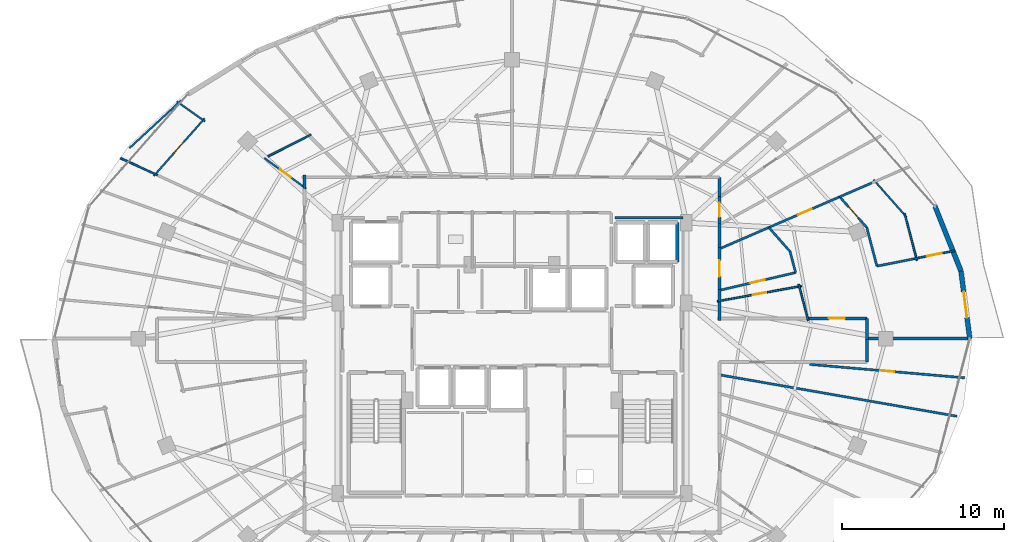
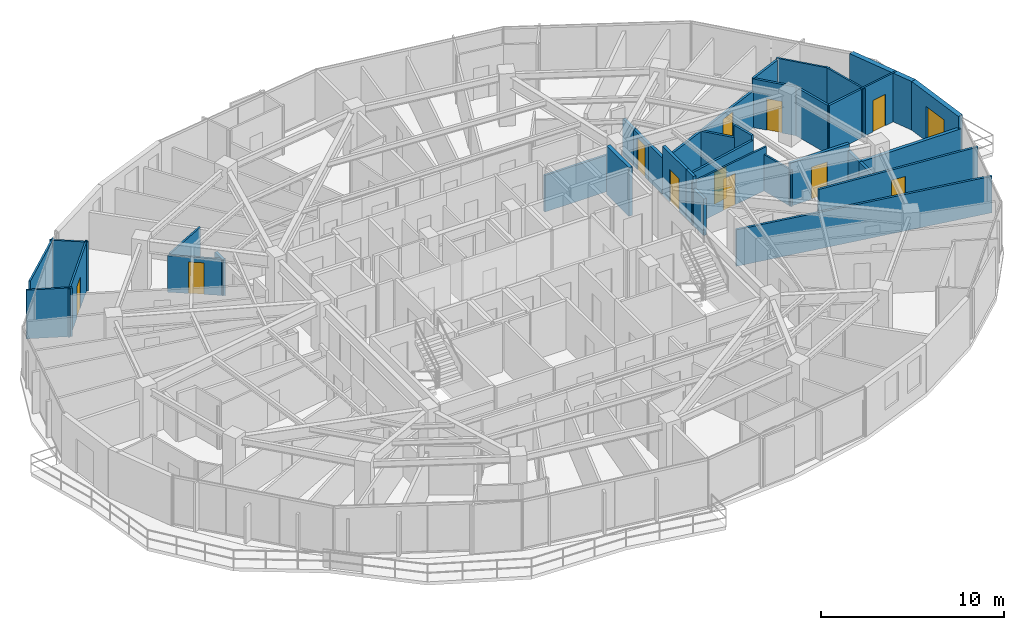
# One storey, part 29 of 34: 37 walls, 12 doors, 12 openings.
"""IFC4 building model written with IfcOpenShell, lengths in metres."""

import ifcopenshell
import ifcopenshell.guid

model = None  # the IFC model being written
_history = None  # IfcOwnerHistory: only IFC2X3 demands one
_inside = {}  # id of a spatial element -> (the spatial element, [elements in it])
_under = {}  # id of a project, library or spatial element -> (it, [spatial elements below it])
_declared = {}  # id of a project -> (the project, [libraries it declares])
_typed = {}  # id of a type object -> (the type object, [elements of that type])
_made_of = {}  # id of a material, layer set ... -> (it, [elements and type objects made of it])


def new_model(schema):
    """Start an empty IFC model of exactly this schema.

    Asked for "IFC4X3", IfcOpenShell would pick the latest addendum, in which some entities
    have other attributes; the version numbers below select the first issue.
    IFC2X3 requires an IfcOwnerHistory on every rooted entity: one is made here for all.
    """
    global model, _history
    if schema == "IFC4X3":
        model = ifcopenshell.file(schema_version=(4, 3, 0, 0))
    else:
        model = ifcopenshell.file(schema=schema)
    _inside.clear()
    _under.clear()
    _declared.clear()
    _typed.clear()
    _made_of.clear()
    _history = None
    if model.schema == "IFC2X3":
        org = make("IfcOrganization", Name="unknown")
        user = make(
            "IfcPersonAndOrganization",
            ThePerson=make("IfcPerson", FamilyName="unknown"),
            TheOrganization=org,
        )
        app = make(
            "IfcApplication",
            ApplicationDeveloper=org,
            Version="unknown",
            ApplicationFullName="unknown",
            ApplicationIdentifier="unknown",
        )
        _history = make(
            "IfcOwnerHistory",
            OwningUser=user,
            OwningApplication=app,
            ChangeAction="ADDED",
            CreationDate=0,
        )
    return model


def make(cls, **values):
    """One entity of the class cls with the attributes given. An attribute that is None is left unset."""
    return model.create_entity(
        cls, **{name: value for name, value in values.items() if value is not None}
    )


def rooted(cls, **values):
    """An entity with a GlobalId (a new one), such as an element, a storey or a relation."""
    return make(cls, GlobalId=ifcopenshell.guid.new(), OwnerHistory=_history, **values)


def si_unit(unit_type, name, prefix=None):
    """IfcSIUnit, for example si_unit("LENGTHUNIT", "METRE", prefix="MILLI")."""
    return make("IfcSIUnit", UnitType=unit_type, Prefix=prefix, Name=name)


def assignment(units):
    """IfcUnitAssignment: the units of a project."""
    return None if units is None else make("IfcUnitAssignment", Units=units)


def point(xyz):
    """IfcCartesianPoint."""
    return None if xyz is None else make("IfcCartesianPoint", Coordinates=xyz)


def direction(xyz):
    """IfcDirection."""
    return None if xyz is None else make("IfcDirection", DirectionRatios=xyz)


def frame(location, z_axis=None, x_axis=None):
    """IfcAxis2Placement3D, a coordinate frame: its origin and axes. An axis left out is left unset."""
    return make(
        "IfcAxis2Placement3D",
        Location=point(location),
        Axis=direction(z_axis),
        RefDirection=direction(x_axis),
    )


def frame_2d(location, x_axis=None):
    """IfcAxis2Placement2D, a coordinate frame in the plane: its origin and x axis."""
    return make(
        "IfcAxis2Placement2D", Location=point(location), RefDirection=direction(x_axis)
    )


def origin():
    """The frame at (0, 0, 0) with its axes left unset."""
    return frame((0.0, 0.0, 0.0))


def place(relative_to, where):
    """IfcLocalPlacement: puts the frame where relative to a parent placement (None: the world)."""
    return make(
        "IfcLocalPlacement", PlacementRelTo=relative_to, RelativePlacement=where
    )


def context(
    kind, dimensions, precision=None, world=None, true_north=None, identifier=None
):
    """IfcGeometricRepresentationContext, for example the 3D "Model" context."""
    return make(
        "IfcGeometricRepresentationContext",
        ContextIdentifier=identifier,
        ContextType=kind,
        CoordinateSpaceDimension=dimensions,
        Precision=precision,
        WorldCoordinateSystem=world,
        TrueNorth=true_north,
    )


def subcontext(parent, identifier, kind, view, scale=None):
    """IfcGeometricRepresentationSubContext, for example "Body" below "Model"."""
    return make(
        "IfcGeometricRepresentationSubContext",
        ContextIdentifier=identifier,
        ContextType=kind,
        ParentContext=parent,
        TargetScale=scale,
        TargetView=view,
    )


def project(units=None, contexts=None):
    """IfcProject with its units and contexts."""
    return rooted(
        "IfcProject",
        Name="project",
        RepresentationContexts=contexts,
        UnitsInContext=assignment(units),
    )


def spatial(cls, under=None, at=None, **own):
    """A site, building, storey or space (cls), placed at a placement, below another one or the project."""
    s = rooted(cls, ObjectPlacement=at, **own)
    if under is not None:
        _under.setdefault(under.id(), (under, []))[1].append(s)
    return s


def profile(cls, at=None, kind="AREA", **sizes):
    """A parametric profile (cls). Its sizes go by their IFC names, for example OverallWidth=200.0."""
    return make(cls, ProfileType=kind, Position=at, **sizes)


def rectangle(**sizes):
    """IfcRectangleProfileDef."""
    return profile("IfcRectangleProfileDef", **sizes)


def extrude(swept, where, along, depth):
    """IfcExtrudedAreaSolid: the profile swept, set in the frame where, extruded along a direction by depth."""
    return make(
        "IfcExtrudedAreaSolid",
        SweptArea=swept,
        Position=where,
        ExtrudedDirection=direction(along),
        Depth=depth,
    )


def shape(context_of_items, identifier, shape_type, items):
    """IfcShapeRepresentation: the items that make up one representation, for example the "Body"."""
    return make(
        "IfcShapeRepresentation",
        ContextOfItems=context_of_items,
        RepresentationIdentifier=identifier,
        RepresentationType=shape_type,
        Items=items,
    )


def material(Name=None, Category=None):
    """IfcMaterial."""
    return make("IfcMaterial", Name=Name, Category=Category)


def layer(
    of_material, thickness, ventilated=None, Name=None, Category=None, Priority=None
):
    """IfcMaterialLayer: one layer of a wall or slab, of a material (None: an air gap)."""
    return make(
        "IfcMaterialLayer",
        Material=of_material,
        LayerThickness=thickness,
        IsVentilated=ventilated,
        Name=Name,
        Category=Category,
        Priority=Priority,
    )


def layer_set(layers, Name=None):
    """IfcMaterialLayerSet."""
    return make("IfcMaterialLayerSet", MaterialLayers=layers, LayerSetName=Name)


def made_of(thing, what):
    """Note that an element or type object is made of a material, layer set ...; save() writes the relation."""
    if what is not None:
        _made_of.setdefault(what.id(), (what, []))[1].append(thing)
    return thing


def type_object(cls, material=None, **own):
    """A type object (cls), such as IfcWallType, which elements share."""
    return made_of(rooted(cls, **own), material)


def element(
    cls,
    number,
    at=None,
    inside=None,
    cuts=None,
    type_object=None,
    material=None,
    context=None,
    identifier="Body",
    shape_type=None,
    held_by="IfcProductDefinitionShape",
    body=None,
    shapes=None,
    **own,
):
    """One element of the class cls, such as IfcWall. Its Tag is "e" and its number.

    at: its placement. inside: the storey or other place that contains it. cuts: it is an
    opening in that element (IfcRelVoidsElement). A single representation is given by context,
    identifier, shape_type and body (its items); several are given by shapes. held_by: the class
    of the entity that holds the representations. save() writes the other relations.
    """
    e = rooted(cls, Tag="e%d" % number, ObjectPlacement=at, **own)
    if body is not None:
        shapes = [shape(context, identifier, shape_type, body)]
    if shapes is not None:
        e.Representation = make(held_by, Representations=shapes)
    if inside is not None:
        _inside.setdefault(inside.id(), (inside, []))[1].append(e)
    if cuts is not None:
        rooted(
            "IfcRelVoidsElement", RelatingBuildingElement=cuts, RelatedOpeningElement=e
        )
    if type_object is not None:
        _typed.setdefault(type_object.id(), (type_object, []))[1].append(e)
    return made_of(e, material)


def fill(opening, filler):
    """IfcRelFillsElement: the door or window that sits in an opening."""
    return rooted(
        "IfcRelFillsElement",
        RelatingOpeningElement=opening,
        RelatedBuildingElement=filler,
    )


def aggregate(whole, parts):
    """IfcRelAggregates: a whole, such as a stair, and the parts it consists of."""
    return rooted("IfcRelAggregates", RelatingObject=whole, RelatedObjects=parts)


def save(model, path):
    """Write the relations noted so far, then the file.

    IfcRelAggregates (storeys below a building ...), IfcRelContainedInSpatialStructure (elements
    in a storey), IfcRelDefinesByType, IfcRelAssociatesMaterial and IfcRelDeclares: one each for
    every whole, place, type object, material and project.
    """
    for whole, parts in _under.values():
        aggregate(whole, parts)
    for where, things in _inside.values():
        rooted(
            "IfcRelContainedInSpatialStructure",
            RelatedElements=things,
            RelatingStructure=where,
        )
    for kind, things in _typed.values():
        rooted("IfcRelDefinesByType", RelatedObjects=things, RelatingType=kind)
    for what, things in _made_of.values():
        rooted("IfcRelAssociatesMaterial", RelatedObjects=things, RelatingMaterial=what)
    for by, libraries in _declared.values():
        rooted("IfcRelDeclares", RelatingContext=by, RelatedDefinitions=libraries)
    model.write(path)


model = new_model("IFC4")

# Units and contexts
model_context = context("Model", 3, precision=1e-05, world=origin(), true_north=direction((0.0, 1.0)))
body_context = subcontext(model_context, "Body", "Model", "MODEL_VIEW")
ifc_project = project(units=[si_unit("LENGTHUNIT", "METRE"), si_unit("AREAUNIT", "SQUARE_METRE"), si_unit("VOLUMEUNIT", "CUBIC_METRE"), si_unit("PLANEANGLEUNIT", "RADIAN"), si_unit("MASSUNIT", "GRAM", prefix="KILO")], contexts=[model_context])

# Site, building, storey
site_placement = place(None, origin())
site = spatial("IfcSite", under=ifc_project, at=site_placement, CompositionType="ELEMENT")
building_placement = place(site_placement, origin())
building = spatial("IfcBuilding", under=site, at=building_placement, Name="Vorneva Point Tower", CompositionType="ELEMENT")
storey_placement = place(building_placement, frame((0.0, 0.0, 186.10009765625)))
storey = spatial("IfcBuildingStorey", under=building, at=storey_placement, Name="L50", CompositionType="ELEMENT", Elevation=186.10009765625)

# Wall, opening, door
ifc_material_1 = material(Name="Precast concrete B50 (C40/50)", Category="concrete")
ifc_layer_1 = layer(ifc_material_1, 0.300048828125)
ifc_layer_set_1 = layer_set([ifc_layer_1], Name="Precast concrete B50 (C40/50)")
wall_type_1 = type_object("IfcWallType", Name="WL-EXT-300", PredefinedType="STANDARD", material=ifc_layer_set_1)
wall_1_placement = place(storey_placement, frame((66.22998046875, 26.0, 0.0), z_axis=(0.0, 0.0, 1.0), x_axis=(-0.129147853268, 0.991625348605, 0.0)))
wall_1 = element("IfcWall", 1, at=wall_1_placement, inside=storey, type_object=wall_type_1, Name="L50 Pale-Metal Facade Spandrel Wall 01.1", PredefinedType="STANDARD", context=body_context, shape_type="SweptSolid", body=[
    extrude(rectangle(XDim=4.200439453125, YDim=0.300048828125, at=frame_2d((2.10009765625, 0.0))), origin(), (0.0, 0.0, 1.0), 3.239990234375),
])
opening_1_placement = place(wall_1_placement, frame((1.30029296875, 0.0, 0.0)))
opening_1 = element("IfcOpeningElement", 2, at=opening_1_placement, cuts=wall_1, Name="Opening BD-01", PredefinedType="OPENING", context=body_context, shape_type="SweptSolid", body=[
    extrude(rectangle(XDim=1.60009765625, YDim=2.300048828125, at=frame_2d((0.800048828125, 1.14990234375))), frame((0.0, 0.1650390625, 0.0), z_axis=(0.0, -1.0, 0.0), x_axis=(1.0, 0.0, 0.0)), (0.0, 0.0, 1.0), 0.329833984375),
])
ifc_material_2 = material(Name="Pale anodised aluminium", Category="aluminium")
door_type_1 = type_object("IfcDoorType", Name="DR-BAL-1600", OperationType="SLIDING_TO_LEFT", PredefinedType="DOOR", material=ifc_material_2)
door_1_placement = place(opening_1_placement, origin())
door_1 = element("IfcDoor", 3, at=door_1_placement, inside=storey, type_object=door_type_1, Name="L50 Balcony Terrace Access Door 01", OperationType="SLIDING_TO_LEFT", OverallHeight=2.300048828125, OverallWidth=1.60009765625, PredefinedType="DOOR", context=body_context, shape_type="SweptSolid", body=[
    extrude(rectangle(XDim=1.60009765625, YDim=2.300048828125, at=frame_2d((0.800048828125, 1.14990234375))), frame((0.0, 0.02490234375, 0.0), z_axis=(0.0, -1.0, 0.0), x_axis=(1.0, 0.0, 0.0)), (0.0, 0.0, 1.0), 0.050048828125),
])
fill(opening_1, door_1)

# Wall
wall_2_placement = place(storey_placement, frame((65.6875, 30.165283203125, 0.0), z_axis=(0.0, 0.0, 1.0), x_axis=(-0.372268409848, 0.928125116043, 0.0)))
element("IfcWall", 4, at=wall_2_placement, inside=storey, type_object=wall_type_1, Name="L50 Pale-Metal Facade Spandrel Wall 01.2", PredefinedType="STANDARD", context=body_context, shape_type="SweptSolid", body=[
    extrude(rectangle(XDim=4.315185546875, YDim=0.300048828125, at=frame_2d((2.15771484375, 0.0))), origin(), (0.0, 0.0, 1.0), 3.239990234375),
])

# Wall, opening, door
ifc_material_3 = material(Name="Fire-rated acoustic gypsum stud partition", Category="gypsum")
ifc_layer_2 = layer(ifc_material_3, 0.110107421875)
ifc_layer_set_2 = layer_set([ifc_layer_2], Name="Fire-rated acoustic gypsum stud partition")
wall_type_2 = type_object("IfcWallType", Name="WL-PART-110", PredefinedType="PARTITIONING", material=ifc_layer_set_2)
wall_3_placement = place(storey_placement, frame((50.662353515625, 28.300048828125, 0.0), z_axis=(0.0, 0.0, 1.0), x_axis=(0.983892120625, 0.178763237197, 0.0)))
wall_3 = element("IfcWall", 5, at=wall_3_placement, inside=storey, type_object=wall_type_2, Name="L50 Interior Partition 100", PredefinedType="PARTITIONING", context=body_context, shape_type="SweptSolid", body=[
    extrude(rectangle(XDim=5.2744140625, YDim=0.110107421875, at=frame_2d((2.63720703125, 0.0))), origin(), (0.0, 0.0, 1.0), 2.8740234375),
])
opening_2_placement = place(wall_3_placement, frame((2.212158203125, 0.0, 0.0)))
opening_2 = element("IfcOpeningElement", 6, at=opening_2_placement, cuts=wall_3, Name="Opening ID-02", PredefinedType="OPENING", context=body_context, shape_type="SweptSolid", body=[
    extrude(rectangle(XDim=0.85009765625, YDim=2.10009765625, at=frame_2d((0.425048828125, 1.050048828125))), frame((0.0, 0.06982421875, 0.0), z_axis=(0.0, -1.0, 0.0), x_axis=(1.0, 0.0, 0.0)), (0.0, 0.0, 1.0), 0.139892578125),
])
ifc_material_4 = material(Name="Engineered oak fire-rated door leaf", Category="wood")
door_type_2 = type_object("IfcDoorType", Name="DR-BATH-850", OperationType="NOTDEFINED", PredefinedType="DOOR", material=ifc_material_4)
door_2_placement = place(opening_2_placement, origin())
door_2 = element("IfcDoor", 7, at=door_2_placement, inside=storey, type_object=door_type_2, Name="L50 Door Living and Dining Room L50-01 / Bathroom L50-01", OperationType="SINGLE_SWING_LEFT", OverallHeight=2.10009765625, OverallWidth=0.85009765625, PredefinedType="DOOR", context=body_context, shape_type="SweptSolid", body=[
    extrude(rectangle(XDim=0.85009765625, YDim=2.10009765625, at=frame_2d((0.425048828125, 1.050048828125))), frame((0.0, 0.02490234375, 0.0), z_axis=(0.0, -1.0, 0.0), x_axis=(1.0, 0.0, 0.0)), (0.0, 0.0, 1.0), 0.050048828125),
])
fill(opening_2, door_2)

# Wall
wall_4_placement = place(storey_placement, frame((55.678466796875, 29.353515625, 0.0), z_axis=(0.0, 0.0, 1.0), x_axis=(0.254057219361, -0.96718919002, 0.0)))
element("IfcWall", 8, at=wall_4_placement, inside=storey, type_object=wall_type_2, Name="L50 Interior Partition 101", PredefinedType="PARTITIONING", context=body_context, shape_type="SweptSolid", body=[
    extrude(rectangle(XDim=2.31494140625, YDim=0.110107421875, at=frame_2d((1.157470703125, 0.0))), origin(), (0.0, 0.0, 1.0), 2.431884765625),
])

# Wall, opening, door
wall_5_placement = place(storey_placement, frame((65.327392578125, 31.42724609375, 0.0), z_axis=(0.0, 0.0, 1.0), x_axis=(-0.980809558385, -0.194968228644, 0.0)))
wall_5 = element("IfcWall", 9, at=wall_5_placement, inside=storey, type_object=wall_type_2, Name="L50 Interior Partition 102", PredefinedType="PARTITIONING", context=body_context, shape_type="SweptSolid", body=[
    extrude(rectangle(XDim=2.5771484375, YDim=0.110107421875, at=frame_2d((1.28857421875, 0.0))), origin(), (0.0, 0.0, 1.0), 3.239990234375),
])
opening_3_placement = place(wall_5_placement, frame((0.83837890625, 0.0, 0.0)))
opening_3 = element("IfcOpeningElement", 10, at=opening_3_placement, cuts=wall_5, Name="Opening ID-01", PredefinedType="OPENING", context=body_context, shape_type="SweptSolid", body=[
    extrude(rectangle(XDim=0.89990234375, YDim=2.10009765625, at=frame_2d((0.449951171875, 1.050048828125))), frame((0.0, 0.06982421875, 0.0), z_axis=(0.0, -1.0, 0.0), x_axis=(1.0, 0.0, 0.0)), (0.0, 0.0, 1.0), 0.139892578125),
])
door_type_3 = type_object("IfcDoorType", Name="DR-ROOM-900", OperationType="NOTDEFINED", PredefinedType="DOOR", material=ifc_material_4)
door_3_placement = place(opening_3_placement, origin())
door_3 = element("IfcDoor", 11, at=door_3_placement, inside=storey, type_object=door_type_3, Name="L50 Door Living and Dining Room L50-01 / Kitchen L50-01", OperationType="SINGLE_SWING_RIGHT", OverallHeight=2.10009765625, OverallWidth=0.89990234375, PredefinedType="DOOR", context=body_context, shape_type="SweptSolid", body=[
    extrude(rectangle(XDim=0.89990234375, YDim=2.10009765625, at=frame_2d((0.449951171875, 1.050048828125))), frame((0.0, 0.02490234375, 0.0), z_axis=(0.0, -1.0, 0.0), x_axis=(1.0, 0.0, 0.0)), (0.0, 0.0, 1.0), 0.050048828125),
])
fill(opening_3, door_3)

# Walls
wall_6_placement = place(storey_placement, frame((60.29833984375, 35.7939453125, 0.0), z_axis=(0.0, 0.0, 1.0), x_axis=(0.662277588726, -0.74925856383, 0.0)))
element("IfcWall", 12, at=wall_6_placement, inside=storey, type_object=wall_type_2, Name="L50 Interior Partition 110", PredefinedType="PARTITIONING", context=body_context, shape_type="SweptSolid", body=[
    extrude(rectangle(XDim=3.076171875, YDim=0.110107421875, at=frame_2d((1.5380859375, 0.0))), origin(), (0.0, 0.0, 1.0), 3.239990234375),
])
wall_7_placement = place(storey_placement, frame((62.20751953125, 33.7294921875, 0.0), z_axis=(0.0, 0.0, 1.0), x_axis=(0.254058335644, -0.967188896798, 0.0)))
element("IfcWall", 13, at=wall_7_placement, inside=storey, type_object=wall_type_2, Name="L50 Interior Partition 111", PredefinedType="PARTITIONING", context=body_context, shape_type="SweptSolid", body=[
    extrude(rectangle(XDim=3.01171875, YDim=0.110107421875, at=frame_2d((1.505859375, 0.0))), origin(), (0.0, 0.0, 1.0), 3.239990234375),
])

# Wall, opening, door
wall_8_placement = place(storey_placement, frame((25.31298828125, 35.24755859375, 0.0), z_axis=(0.0, 0.0, 1.0), x_axis=(-0.807968083988, 0.58922625133, 0.0)))
wall_8 = element("IfcWall", 14, at=wall_8_placement, inside=storey, type_object=wall_type_2, Name="L50 Interior Partition 139", PredefinedType="PARTITIONING", context=body_context, shape_type="SweptSolid", body=[
    extrude(rectangle(XDim=3.192138671875, YDim=0.110107421875, at=frame_2d((1.59619140625, 0.0))), origin(), (0.0, 0.0, 1.0), 2.431884765625),
])
opening_4_placement = place(wall_8_placement, frame((1.171142578125, 0.0, 0.0)))
opening_4 = element("IfcOpeningElement", 15, at=opening_4_placement, cuts=wall_8, Name="Opening ID-02", PredefinedType="OPENING", context=body_context, shape_type="SweptSolid", body=[
    extrude(rectangle(XDim=0.85009765625, YDim=2.10009765625, at=frame_2d((0.425048828125, 1.050048828125))), frame((0.0, 0.06982421875, 0.0), z_axis=(0.0, -1.0, 0.0), x_axis=(1.0, 0.0, 0.0)), (0.0, 0.0, 1.0), 0.139892578125),
])
door_4_placement = place(opening_4_placement, origin())
door_4 = element("IfcDoor", 16, at=door_4_placement, inside=storey, type_object=door_type_2, Name="L50 Door Living and Dining Room L50-04 / Bathroom L50-04", OperationType="SINGLE_SWING_LEFT", OverallHeight=2.10009765625, OverallWidth=0.85009765625, PredefinedType="DOOR", context=body_context, shape_type="SweptSolid", body=[
    extrude(rectangle(XDim=0.85009765625, YDim=2.10009765625, at=frame_2d((0.425048828125, 1.050048828125))), frame((0.0, 0.02490234375, 0.0), z_axis=(0.0, -1.0, 0.0), x_axis=(1.0, 0.0, 0.0)), (0.0, 0.0, 1.0), 0.050048828125),
])
fill(opening_4, door_4)

# Walls
wall_9_placement = place(storey_placement, frame((22.941162109375, 37.23095703125, 0.0), z_axis=(0.0, 0.0, 1.0), x_axis=(0.892507731149, 0.451032094024, 0.0)))
element("IfcWall", 17, at=wall_9_placement, inside=storey, type_object=wall_type_2, Name="L50 Interior Partition 140", PredefinedType="PARTITIONING", context=body_context, shape_type="SweptSolid", body=[
    extrude(rectangle(XDim=2.989013671875, YDim=0.110107421875, at=frame_2d((1.49462890625, 0.0))), origin(), (0.0, 0.0, 1.0), 2.431884765625),
])
wall_10_placement = place(storey_placement, frame((17.32763671875, 40.6259765625, 0.0), z_axis=(0.0, 0.0, 1.0), x_axis=(0.816262906602, -0.577680592807, 0.0)))
element("IfcWall", 18, at=wall_10_placement, inside=storey, type_object=wall_type_2, Name="L50 Interior Partition 141", PredefinedType="PARTITIONING", context=body_context, shape_type="SweptSolid", body=[
    extrude(rectangle(XDim=2.132568359375, YDim=0.110107421875, at=frame_2d((1.06640625, 0.0))), origin(), (0.0, 0.0, 1.0), 3.239990234375),
])

# Wall, opening, door
wall_11_placement = place(storey_placement, frame((19.046630859375, 39.579833984375, 0.0), z_axis=(0.0, 0.0, 1.0), x_axis=(-0.662189711464, -0.749336230294, 0.0)))
wall_11 = element("IfcWall", 19, at=wall_11_placement, inside=storey, type_object=wall_type_2, Name="L50 Interior Partition 142", PredefinedType="PARTITIONING", context=body_context, shape_type="SweptSolid", body=[
    extrude(rectangle(XDim=4.731689453125, YDim=0.110107421875, at=frame_2d((2.36572265625, 0.0))), origin(), (0.0, 0.0, 1.0), 3.239990234375),
])
opening_5_placement = place(wall_11_placement, frame((1.916015625, 0.0, 0.0)))
opening_5 = element("IfcOpeningElement", 20, at=opening_5_placement, cuts=wall_11, Name="Opening ID-01", PredefinedType="OPENING", context=body_context, shape_type="SweptSolid", body=[
    extrude(rectangle(XDim=0.89990234375, YDim=2.10009765625, at=frame_2d((0.449951171875, 1.050048828125))), frame((0.0, 0.06982421875, 0.0), z_axis=(0.0, -1.0, 0.0), x_axis=(1.0, 0.0, 0.0)), (0.0, 0.0, 1.0), 0.139892578125),
])
door_5_placement = place(opening_5_placement, origin())
door_5 = element("IfcDoor", 21, at=door_5_placement, inside=storey, type_object=door_type_3, Name="L50 Door Living and Dining Room L50-04 / Kitchen L50-04", OperationType="SINGLE_SWING_RIGHT", OverallHeight=2.10009765625, OverallWidth=0.89990234375, PredefinedType="DOOR", context=body_context, shape_type="SweptSolid", body=[
    extrude(rectangle(XDim=0.89990234375, YDim=2.10009765625, at=frame_2d((0.449951171875, 1.050048828125))), frame((0.0, 0.02490234375, 0.0), z_axis=(0.0, -1.0, 0.0), x_axis=(1.0, 0.0, 0.0)), (0.0, 0.0, 1.0), 0.050048828125),
])
fill(opening_5, door_5)

# Walls
wall_12_placement = place(storey_placement, frame((17.58984375, 40.681884765625, 0.0), z_axis=(0.0, 0.0, 1.0), x_axis=(-0.734861902375, -0.678216768031, 0.0)))
element("IfcWall", 22, at=wall_12_placement, inside=storey, type_object=wall_type_2, Name="L50 Interior Partition 143", PredefinedType="PARTITIONING", context=body_context, shape_type="SweptSolid", body=[
    extrude(rectangle(XDim=4.322998046875, YDim=0.110107421875, at=frame_2d((2.16162109375, 0.0))), origin(), (0.0, 0.0, 1.0), 3.239990234375),
])
wall_13_placement = place(storey_placement, frame((13.846923828125, 37.134521484375, 0.0), z_axis=(0.0, 0.0, 1.0), x_axis=(0.908101251341, -0.418750662462, 0.0)))
element("IfcWall", 23, at=wall_13_placement, inside=storey, type_object=wall_type_2, Name="L50 Interior Partition 145", PredefinedType="PARTITIONING", context=body_context, shape_type="SweptSolid", body=[
    extrude(rectangle(XDim=2.517578125, YDim=0.110107421875, at=frame_2d((1.2587890625, 0.0))), origin(), (0.0, 0.0, 1.0), 3.239990234375),
])
ifc_layer_3 = layer(ifc_material_3, 0.139892578125)
ifc_layer_set_3 = layer_set([ifc_layer_3], Name="Fire-rated acoustic gypsum stud partition")
wall_type_3 = type_object("IfcWallType", Name="WL-PART-140", PredefinedType="PARTITIONING", material=ifc_layer_set_3)
wall_14_placement = place(storey_placement, frame((53.837890625, 32.85302734375, 0.0), z_axis=(0.0, 0.0, 1.0), x_axis=(0.662046229388, -0.749463001191, 0.0)))
element("IfcWall", 24, at=wall_14_placement, inside=storey, type_object=wall_type_3, Name="L50 Interior Partition 096", PredefinedType="PARTITIONING", context=body_context, shape_type="SweptSolid", body=[
    extrude(rectangle(XDim=1.977294921875, YDim=0.139892578125, at=frame_2d((0.98876953125, 0.0))), origin(), (0.0, 0.0, 1.0), 2.431884765625),
])
wall_15_placement = place(storey_placement, frame((55.14697265625, 31.37109375, 0.0), z_axis=(0.0, 0.0, 1.0), x_axis=(0.25443966192, -0.967088650767, 0.0)))
element("IfcWall", 25, at=wall_15_placement, inside=storey, type_object=wall_type_3, Name="L50 Interior Partition 097", PredefinedType="PARTITIONING", context=body_context, shape_type="SweptSolid", body=[
    extrude(rectangle(XDim=1.34423828125, YDim=0.139892578125, at=frame_2d((0.672119140625, 0.0))), origin(), (0.0, 0.0, 1.0), 3.239990234375),
])

# Wall, opening, door
wall_16_placement = place(storey_placement, frame((55.489013671875, 30.071044921875, 0.0), z_axis=(0.0, 0.0, 1.0), x_axis=(-0.973980178663, -0.226633209333, 0.0)))
wall_16 = element("IfcWall", 26, at=wall_16_placement, inside=storey, type_object=wall_type_3, Name="L50 Interior Partition 098", PredefinedType="PARTITIONING", context=body_context, shape_type="SweptSolid", body=[
    extrude(rectangle(XDim=4.814208984375, YDim=0.139892578125, at=frame_2d((2.4072265625, 0.0))), origin(), (0.0, 0.0, 1.0), 2.921875),
])
opening_6_placement = place(wall_16_placement, frame((1.95703125, 0.0, 0.0)))
opening_6 = element("IfcOpeningElement", 27, at=opening_6_placement, cuts=wall_16, Name="Opening ID-01", PredefinedType="OPENING", context=body_context, shape_type="SweptSolid", body=[
    extrude(rectangle(XDim=0.89990234375, YDim=2.10009765625, at=frame_2d((0.449951171875, 1.050048828125))), frame((0.0, 0.0849609375, 0.0), z_axis=(0.0, -1.0, 0.0), x_axis=(1.0, 0.0, 0.0)), (0.0, 0.0, 1.0), 0.169677734375),
])
door_6_placement = place(opening_6_placement, origin())
door_6 = element("IfcDoor", 28, at=door_6_placement, inside=storey, type_object=door_type_3, Name="L50 Door Living and Dining Room L50-01 / Family Dining Room L50-01", OperationType="SINGLE_SWING_RIGHT", OverallHeight=2.10009765625, OverallWidth=0.89990234375, PredefinedType="DOOR", context=body_context, shape_type="SweptSolid", body=[
    extrude(rectangle(XDim=0.89990234375, YDim=2.10009765625, at=frame_2d((0.449951171875, 1.050048828125))), frame((0.0, 0.02490234375, 0.0), z_axis=(0.0, -1.0, 0.0), x_axis=(1.0, 0.0, 0.0)), (0.0, 0.0, 1.0), 0.050048828125),
])
fill(opening_6, door_6)

# Walls
wall_17_placement = place(storey_placement, frame((53.89599609375, 32.87890625, 0.0), z_axis=(0.0, 0.0, 1.0), x_axis=(-0.917742985146, -0.39717478925, 0.0)))
element("IfcWall", 29, at=wall_17_placement, inside=storey, type_object=wall_type_3, Name="L50 Interior Partition 099", PredefinedType="PARTITIONING", context=body_context, shape_type="SweptSolid", body=[
    extrude(rectangle(XDim=3.37353515625, YDim=0.139892578125, at=frame_2d((1.686767578125, 0.0))), origin(), (0.0, 0.0, 1.0), 2.431884765625),
])
wall_18_placement = place(storey_placement, frame((62.7998046875, 30.9248046875, 0.0), z_axis=(0.0, 0.0, 1.0), x_axis=(-0.980840670114, -0.194811652245, 0.0)))
element("IfcWall", 30, at=wall_18_placement, inside=storey, type_object=wall_type_3, Name="L50 Interior Partition 104", PredefinedType="PARTITIONING", context=body_context, shape_type="SweptSolid", body=[
    extrude(rectangle(XDim=2.33984375, YDim=0.139892578125, at=frame_2d((1.169921875, 0.0))), origin(), (0.0, 0.0, 1.0), 3.239990234375),
])
wall_19_placement = place(storey_placement, frame((60.5048828125, 30.468994140625, 0.0), z_axis=(0.0, 0.0, 1.0), x_axis=(-0.254702896388, 0.967019355841, 0.0)))
element("IfcWall", 31, at=wall_19_placement, inside=storey, type_object=wall_type_3, Name="L50 Interior Partition 105", PredefinedType="PARTITIONING", context=body_context, shape_type="SweptSolid", body=[
    extrude(rectangle(XDim=2.46533203125, YDim=0.139892578125, at=frame_2d((1.232666015625, 0.0))), origin(), (0.0, 0.0, 1.0), 3.239990234375),
])

# Wall, opening, door
wall_20_placement = place(storey_placement, frame((59.876953125, 32.85302734375, 0.0), z_axis=(0.0, 0.0, 1.0), x_axis=(-0.661957655691, 0.749541234404, 0.0)))
wall_20 = element("IfcWall", 32, at=wall_20_placement, inside=storey, type_object=wall_type_3, Name="L50 Interior Partition 106", PredefinedType="PARTITIONING", context=body_context, shape_type="SweptSolid", body=[
    extrude(rectangle(XDim=2.522705078125, YDim=0.139892578125, at=frame_2d((1.26123046875, 0.0))), origin(), (0.0, 0.0, 1.0), 3.239990234375),
])
opening_7_placement = place(wall_20_placement, frame((0.811279296875, 0.0, 0.0)))
opening_7 = element("IfcOpeningElement", 33, at=opening_7_placement, cuts=wall_20, Name="Opening ID-01", PredefinedType="OPENING", context=body_context, shape_type="SweptSolid", body=[
    extrude(rectangle(XDim=0.89990234375, YDim=2.10009765625, at=frame_2d((0.449951171875, 1.050048828125))), frame((0.0, 0.0849609375, 0.0), z_axis=(0.0, -1.0, 0.0), x_axis=(1.0, 0.0, 0.0)), (0.0, 0.0, 1.0), 0.169677734375),
])
door_7_placement = place(opening_7_placement, origin())
door_7 = element("IfcDoor", 34, at=door_7_placement, inside=storey, type_object=door_type_3, Name="L50 Door Living and Dining Room L50-01 / Study Room L50-01", OperationType="SINGLE_SWING_RIGHT", OverallHeight=2.10009765625, OverallWidth=0.89990234375, PredefinedType="DOOR", context=body_context, shape_type="SweptSolid", body=[
    extrude(rectangle(XDim=0.89990234375, YDim=2.10009765625, at=frame_2d((0.449951171875, 1.050048828125))), frame((0.0, 0.02490234375, 0.0), z_axis=(0.0, -1.0, 0.0), x_axis=(1.0, 0.0, 0.0)), (0.0, 0.0, 1.0), 0.050048828125),
])
fill(opening_7, door_7)

# Wall
wall_21_placement = place(storey_placement, frame((58.20703125, 34.743896484375, 0.0), z_axis=(0.0, 0.0, 1.0), x_axis=(0.917748928086, 0.397161056748, 0.0)))
element("IfcWall", 35, at=wall_21_placement, inside=storey, type_object=wall_type_3, Name="L50 Interior Partition 107", PredefinedType="PARTITIONING", context=body_context, shape_type="SweptSolid", body=[
    extrude(rectangle(XDim=2.1796875, YDim=0.139892578125, at=frame_2d((1.08984375, 0.0))), origin(), (0.0, 0.0, 1.0), 3.239990234375),
])

# Wall, opening, door
wall_22_placement = place(storey_placement, frame((58.206787109375, 34.744140625, 0.0), z_axis=(0.0, 0.0, 1.0), x_axis=(-0.917771035239, -0.397109968241, 0.0)))
wall_22 = element("IfcWall", 36, at=wall_22_placement, inside=storey, type_object=wall_type_3, Name="L50 Interior Partition 108", PredefinedType="PARTITIONING", context=body_context, shape_type="SweptSolid", body=[
    extrude(rectangle(XDim=4.697021484375, YDim=0.139892578125, at=frame_2d((2.3486328125, 0.0))), origin(), (0.0, 0.0, 1.0), 2.431884765625),
])
opening_8_placement = place(wall_22_placement, frame((1.8984375, 0.0, 0.0)))
opening_8 = element("IfcOpeningElement", 37, at=opening_8_placement, cuts=wall_22, Name="Opening ID-01", PredefinedType="OPENING", context=body_context, shape_type="SweptSolid", body=[
    extrude(rectangle(XDim=0.89990234375, YDim=2.10009765625, at=frame_2d((0.449951171875, 1.050048828125))), frame((0.0, 0.0849609375, 0.0), z_axis=(0.0, -1.0, 0.0), x_axis=(1.0, 0.0, 0.0)), (0.0, 0.0, 1.0), 0.169677734375),
])
door_8_placement = place(opening_8_placement, origin())
door_8 = element("IfcDoor", 38, at=door_8_placement, inside=storey, type_object=door_type_3, Name="L50 Door Living and Dining Room L50-01 / Master Bedroom L50-01.1", OperationType="SINGLE_SWING_RIGHT", OverallHeight=2.10009765625, OverallWidth=0.89990234375, PredefinedType="DOOR", context=body_context, shape_type="SweptSolid", body=[
    extrude(rectangle(XDim=0.89990234375, YDim=2.10009765625, at=frame_2d((0.449951171875, 1.050048828125))), frame((0.0, 0.02490234375, 0.0), z_axis=(0.0, -1.0, 0.0), x_axis=(1.0, 0.0, 0.0)), (0.0, 0.0, 1.0), 0.050048828125),
])
fill(opening_8, door_8)

# Wall
wall_23_placement = place(storey_placement, frame((65.43505859375, 21.2119140625, 0.0), z_axis=(0.0, 0.0, 1.0), x_axis=(-0.985109541297, 0.171927867563, 0.0)))
element("IfcWall", 39, at=wall_23_placement, inside=storey, type_object=wall_type_3, Name="L50 Interior Partition 195", PredefinedType="PARTITIONING", context=body_context, shape_type="SweptSolid", body=[
    extrude(rectangle(XDim=14.856201171875, YDim=0.139892578125, at=frame_2d((7.42822265625, 0.0))), origin(), (0.0, 0.0, 1.0), 2.431884765625),
])

# Wall, opening, door
wall_24_placement = place(storey_placement, frame((65.9140625, 23.58203125, 0.0), z_axis=(0.0, 0.0, 1.0), x_axis=(-0.99626832952, 0.086309997072, 0.0)))
wall_24 = element("IfcWall", 40, at=wall_24_placement, inside=storey, type_object=wall_type_3, Name="L50 Interior Partition 196", PredefinedType="PARTITIONING", context=body_context, shape_type="SweptSolid", body=[
    extrude(rectangle(XDim=9.592041015625, YDim=0.139892578125, at=frame_2d((4.7958984375, 0.0))), origin(), (0.0, 0.0, 1.0), 2.77392578125),
])
opening_9_placement = place(wall_24_placement, frame((4.37109375, 0.0, 0.0)))
opening_9 = element("IfcOpeningElement", 41, at=opening_9_placement, cuts=wall_24, Name="Opening ID-02", PredefinedType="OPENING", context=body_context, shape_type="SweptSolid", body=[
    extrude(rectangle(XDim=0.85009765625, YDim=2.10009765625, at=frame_2d((0.425048828125, 1.050048828125))), frame((0.0, 0.0849609375, 0.0), z_axis=(0.0, -1.0, 0.0), x_axis=(1.0, 0.0, 0.0)), (0.0, 0.0, 1.0), 0.169677734375),
])
door_9_placement = place(opening_9_placement, origin())
door_9 = element("IfcDoor", 42, at=door_9_placement, inside=storey, type_object=door_type_2, Name="L50 Access Door Bedroom L50-08.4", OperationType="SINGLE_SWING_LEFT", OverallHeight=2.10009765625, OverallWidth=0.85009765625, PredefinedType="DOOR", context=body_context, shape_type="SweptSolid", body=[
    extrude(rectangle(XDim=0.85009765625, YDim=2.10009765625, at=frame_2d((0.425048828125, 1.050048828125))), frame((0.0, 0.02490234375, 0.0), z_axis=(0.0, -1.0, 0.0), x_axis=(1.0, 0.0, 0.0)), (0.0, 0.0, 1.0), 0.050048828125),
])
fill(opening_9, door_9)

# Walls
wall_25_placement = place(storey_placement, frame((48.550048828125, 33.449951171875, 0.0), z_axis=(0.0, 0.0, 1.0), x_axis=(-1.0, 0.0, 0.0)))
element("IfcWall", 43, at=wall_25_placement, inside=storey, type_object=wall_type_3, Name="L50 Interior Closure Partition 208", PredefinedType="PARTITIONING", context=body_context, shape_type="SweptSolid", body=[
    extrude(rectangle(XDim=4.2099609375, YDim=0.139892578125, at=frame_2d((2.10498046875, 0.0))), origin(), (0.0, 0.0, 1.0), 2.431884765625),
])
ifc_material_5 = material(Name="Autoclaved aerated concrete blockwork", Category="masonry")
ifc_layer_4 = layer(ifc_material_5, 0.179931640625)
ifc_layer_set_4 = layer_set([ifc_layer_4], Name="Autoclaved aerated concrete blockwork")
wall_type_4 = type_object("IfcWallType", Name="WL-PART-180", PredefinedType="PARTITIONING", material=ifc_layer_set_4)
wall_26_placement = place(storey_placement, frame((59.89990234375, 25.93994140625, 0.0), z_axis=(0.0, 0.0, 1.0), x_axis=(0.0, 1.0, 0.0)))
element("IfcWall", 44, at=wall_26_placement, inside=storey, type_object=wall_type_4, Name="L50 Interior Partition 034", PredefinedType="PARTITIONING", context=body_context, shape_type="SweptSolid", body=[
    extrude(rectangle(XDim=1.31005859375, YDim=0.179931640625, at=frame_2d((0.655029296875, 0.0))), origin(), (0.0, 0.0, 1.0), 2.431884765625),
])

# Wall, opening, door
wall_27_placement = place(storey_placement, frame((59.89990234375, 27.25, 0.0), z_axis=(0.0, 0.0, 1.0), x_axis=(-1.0, 0.0, 0.0)))
wall_27 = element("IfcWall", 45, at=wall_27_placement, inside=storey, type_object=wall_type_4, Name="L50 Interior Partition 035", PredefinedType="PARTITIONING", context=body_context, shape_type="SweptSolid", body=[
    extrude(rectangle(XDim=3.73095703125, YDim=0.179931640625, at=frame_2d((1.865478515625, 0.0))), origin(), (0.0, 0.0, 1.0), 2.8740234375),
])
opening_10_placement = place(wall_27_placement, frame((1.365478515625, 0.0, 0.0)))
opening_10 = element("IfcOpeningElement", 46, at=opening_10_placement, cuts=wall_27, Name="Opening UD-01", PredefinedType="OPENING", context=body_context, shape_type="SweptSolid", body=[
    extrude(rectangle(XDim=1.0, YDim=2.14990234375, at=frame_2d((0.5, 1.074951171875))), frame((0.0, 0.10498046875, 0.0), z_axis=(0.0, -1.0, 0.0), x_axis=(1.0, 0.0, 0.0)), (0.0, 0.0, 1.0), 0.209716796875),
])
door_type_4 = type_object("IfcDoorType", Name="DR-UNIT-1000", OperationType="NOTDEFINED", PredefinedType="DOOR", material=ifc_material_4)
door_10_placement = place(opening_10_placement, origin())
door_10 = element("IfcDoor", 47, at=door_10_placement, inside=storey, type_object=door_type_4, Name="L50 Door L50 Circulation Corridor / Living and Dining Room L50-01", OperationType="SINGLE_SWING_LEFT", OverallHeight=2.14990234375, OverallWidth=1.0, PredefinedType="DOOR", context=body_context, shape_type="SweptSolid", body=[
    extrude(rectangle(XDim=1.0, YDim=2.14990234375, at=frame_2d((0.5, 1.074951171875))), frame((0.0, 0.02490234375, 0.0), z_axis=(0.0, -1.0, 0.0), x_axis=(1.0, 0.0, 0.0)), (0.0, 0.0, 1.0), 0.050048828125),
])
fill(opening_10, door_10)

# Wall
wall_28_placement = place(storey_placement, frame((50.800048828125, 28.264892578125, 0.0), z_axis=(0.0, 0.0, 1.0), x_axis=(0.0, 1.0, 0.0)))
element("IfcWall", 48, at=wall_28_placement, inside=storey, type_object=wall_type_4, Name="L50 Interior Partition 036", PredefinedType="PARTITIONING", context=body_context, shape_type="SweptSolid", body=[
    extrude(rectangle(XDim=0.777099609375, YDim=0.179931640625, at=frame_2d((0.388671875, 0.0))), origin(), (0.0, 0.0, 1.0), 3.239990234375),
])

# Wall, opening, door
wall_29_placement = place(storey_placement, frame((50.800048828125, 29.0419921875, 0.0), z_axis=(0.0, 0.0, 1.0), x_axis=(0.0, 1.0, 0.0)))
wall_29 = element("IfcWall", 49, at=wall_29_placement, inside=storey, type_object=wall_type_4, Name="L50 Interior Partition 037", PredefinedType="PARTITIONING", context=body_context, shape_type="SweptSolid", body=[
    extrude(rectangle(XDim=2.56201171875, YDim=0.179931640625, at=frame_2d((1.281005859375, 0.0))), origin(), (0.0, 0.0, 1.0), 3.239990234375),
])
opening_11_placement = place(wall_29_placement, frame((0.781005859375, 0.0, 0.0)))
opening_11 = element("IfcOpeningElement", 50, at=opening_11_placement, cuts=wall_29, Name="Opening UD-01", PredefinedType="OPENING", context=body_context, shape_type="SweptSolid", body=[
    extrude(rectangle(XDim=1.0, YDim=2.14990234375, at=frame_2d((0.5, 1.074951171875))), frame((0.0, 0.10498046875, 0.0), z_axis=(0.0, -1.0, 0.0), x_axis=(1.0, 0.0, 0.0)), (0.0, 0.0, 1.0), 0.209716796875),
])
door_11_placement = place(opening_11_placement, origin())
door_11 = element("IfcDoor", 51, at=door_11_placement, inside=storey, type_object=door_type_4, Name="L50 Door L50 Circulation Corridor / Family Dining Room L50-01", OperationType="SINGLE_SWING_RIGHT", OverallHeight=2.14990234375, OverallWidth=1.0, PredefinedType="DOOR", context=body_context, shape_type="SweptSolid", body=[
    extrude(rectangle(XDim=1.0, YDim=2.14990234375, at=frame_2d((0.5, 1.074951171875))), frame((0.0, 0.02490234375, 0.0), z_axis=(0.0, -1.0, 0.0), x_axis=(1.0, 0.0, 0.0)), (0.0, 0.0, 1.0), 0.050048828125),
])
fill(opening_11, door_11)

# Walls
wall_30_placement = place(storey_placement, frame((50.800048828125, 27.110107421875, 0.0), z_axis=(0.0, 0.0, 1.0), x_axis=(0.0, 1.0, 0.0)))
element("IfcWall", 52, at=wall_30_placement, inside=storey, type_object=wall_type_4, Name="L50 Interior Partition 039", PredefinedType="PARTITIONING", context=body_context, shape_type="SweptSolid", body=[
    extrude(rectangle(XDim=1.294921875, YDim=0.179931640625, at=frame_2d((0.6474609375, 0.0))), origin(), (0.0, 0.0, 1.0), 2.431884765625),
])
wall_31_placement = place(storey_placement, frame((50.800048828125, 31.60400390625, 0.0), z_axis=(0.0, 0.0, 1.0), x_axis=(0.0, 1.0, 0.0)))
element("IfcWall", 53, at=wall_31_placement, inside=storey, type_object=wall_type_4, Name="L50 Interior Partition 040", PredefinedType="PARTITIONING", context=body_context, shape_type="SweptSolid", body=[
    extrude(rectangle(XDim=1.5009765625, YDim=0.179931640625, at=frame_2d((0.75048828125, 0.0))), origin(), (0.0, 0.0, 1.0), 2.431884765625),
])

# Wall, opening, door
wall_32_placement = place(storey_placement, frame((50.800048828125, 33.10498046875, 0.0), z_axis=(0.0, 0.0, 1.0), x_axis=(0.0, 1.0, 0.0)))
wall_32 = element("IfcWall", 54, at=wall_32_placement, inside=storey, type_object=wall_type_4, Name="L50 Interior Partition 041", PredefinedType="PARTITIONING", context=body_context, shape_type="SweptSolid", body=[
    extrude(rectangle(XDim=1.6669921875, YDim=0.179931640625, at=frame_2d((0.83349609375, 0.0))), origin(), (0.0, 0.0, 1.0), 2.431884765625),
])
opening_12_placement = place(wall_32_placement, frame((0.408447265625, 0.0, 0.0)))
opening_12 = element("IfcOpeningElement", 55, at=opening_12_placement, cuts=wall_32, Name="Opening ID-02", PredefinedType="OPENING", context=body_context, shape_type="SweptSolid", body=[
    extrude(rectangle(XDim=0.85009765625, YDim=2.10009765625, at=frame_2d((0.425048828125, 1.050048828125))), frame((0.0, 0.10498046875, 0.0), z_axis=(0.0, -1.0, 0.0), x_axis=(1.0, 0.0, 0.0)), (0.0, 0.0, 1.0), 0.209716796875),
])
door_12_placement = place(opening_12_placement, origin())
door_12 = element("IfcDoor", 56, at=door_12_placement, inside=storey, type_object=door_type_2, Name="L50 Access Door L50 Circulation Corridor", OperationType="SINGLE_SWING_LEFT", OverallHeight=2.10009765625, OverallWidth=0.85009765625, PredefinedType="DOOR", context=body_context, shape_type="SweptSolid", body=[
    extrude(rectangle(XDim=0.85009765625, YDim=2.10009765625, at=frame_2d((0.425048828125, 1.050048828125))), frame((0.0, 0.02490234375, 0.0), z_axis=(0.0, -1.0, 0.0), x_axis=(1.0, 0.0, 0.0)), (0.0, 0.0, 1.0), 0.050048828125),
])
fill(opening_12, door_12)

# Walls
wall_33_placement = place(storey_placement, frame((50.800048828125, 34.77197265625, 0.0), z_axis=(0.0, 0.0, 1.0), x_axis=(0.0, 1.0, 0.0)))
element("IfcWall", 57, at=wall_33_placement, inside=storey, type_object=wall_type_4, Name="L50 Interior Partition 042", PredefinedType="PARTITIONING", context=body_context, shape_type="SweptSolid", body=[
    extrude(rectangle(XDim=1.177978515625, YDim=0.179931640625, at=frame_2d((0.5888671875, 0.0))), origin(), (0.0, 0.0, 1.0), 2.431884765625),
])
wall_34_placement = place(storey_placement, frame((25.199951171875, 36.090087890625, 0.0), z_axis=(0.0, 0.0, 1.0), x_axis=(0.0, -1.0, 0.0)))
element("IfcWall", 58, at=wall_34_placement, inside=storey, type_object=wall_type_4, Name="L50 Interior Partition 058", PredefinedType="PARTITIONING", context=body_context, shape_type="SweptSolid", body=[
    extrude(rectangle(XDim=0.826171875, YDim=0.179931640625, at=frame_2d((0.4130859375, 0.0))), origin(), (0.0, 0.0, 1.0), 2.431884765625),
])
wall_35_placement = place(storey_placement, frame((59.89990234375, 24.550048828125, 0.0), z_axis=(0.0, 0.0, 1.0), x_axis=(0.0, 1.0, 0.0)))
element("IfcWall", 59, at=wall_35_placement, inside=storey, type_object=wall_type_4, Name="L50 Interior Partition 095", PredefinedType="PARTITIONING", context=body_context, shape_type="SweptSolid", body=[
    extrude(rectangle(XDim=1.389892578125, YDim=0.179931640625, at=frame_2d((0.69482421875, 0.0))), origin(), (0.0, 0.0, 1.0), 2.431884765625),
])
ifc_layer_5 = layer(ifc_material_5, 0.199951171875)
ifc_layer_set_5 = layer_set([ifc_layer_5], Name="Autoclaved aerated concrete blockwork")
wall_type_5 = type_object("IfcWallType", Name="WL-PART-200", PredefinedType="PARTITIONING", material=ifc_layer_set_5)
wall_36_placement = place(storey_placement, frame((59.89990234375, 26.0, 0.0), z_axis=(0.0, 0.0, 1.0), x_axis=(1.0, 0.0, 0.0)))
element("IfcWall", 60, at=wall_36_placement, inside=storey, type_object=wall_type_5, Name="L50 Interior Partition 109", PredefinedType="PARTITIONING", context=body_context, shape_type="SweptSolid", body=[
    extrude(rectangle(XDim=6.3291015625, YDim=0.199951171875, at=frame_2d((3.16455078125, 0.0))), origin(), (0.0, 0.0, 1.0), 2.431884765625),
])
ifc_material_6 = material(Name="Concrete B50 (C40/50)", Category="concrete")
ifc_layer_6 = layer(ifc_material_6, 0.219970703125)
ifc_layer_set_6 = layer_set([ifc_layer_6], Name="Concrete B50 (C40/50)")
wall_type_6 = type_object("IfcWallType", Name="WL-SHFT-220", PredefinedType="SOLIDWALL", material=ifc_layer_set_6)
wall_37_placement = place(storey_placement, frame((48.199951171875, 30.739990234375, 0.0), z_axis=(0.0, 0.0, 1.0), x_axis=(0.0, 1.0, 0.0)))
element("IfcWall", 61, at=wall_37_placement, inside=storey, type_object=wall_type_6, Name="L50 Lift EX2 Shaft Wall +X", PredefinedType="SOLIDWALL", context=body_context, shape_type="SweptSolid", body=[
    extrude(rectangle(XDim=2.419921875, YDim=0.219970703125, at=frame_2d((1.2099609375, 0.0))), origin(), (0.0, 0.0, 1.0), 3.239990234375),
])

save(model, "model.ifc")
